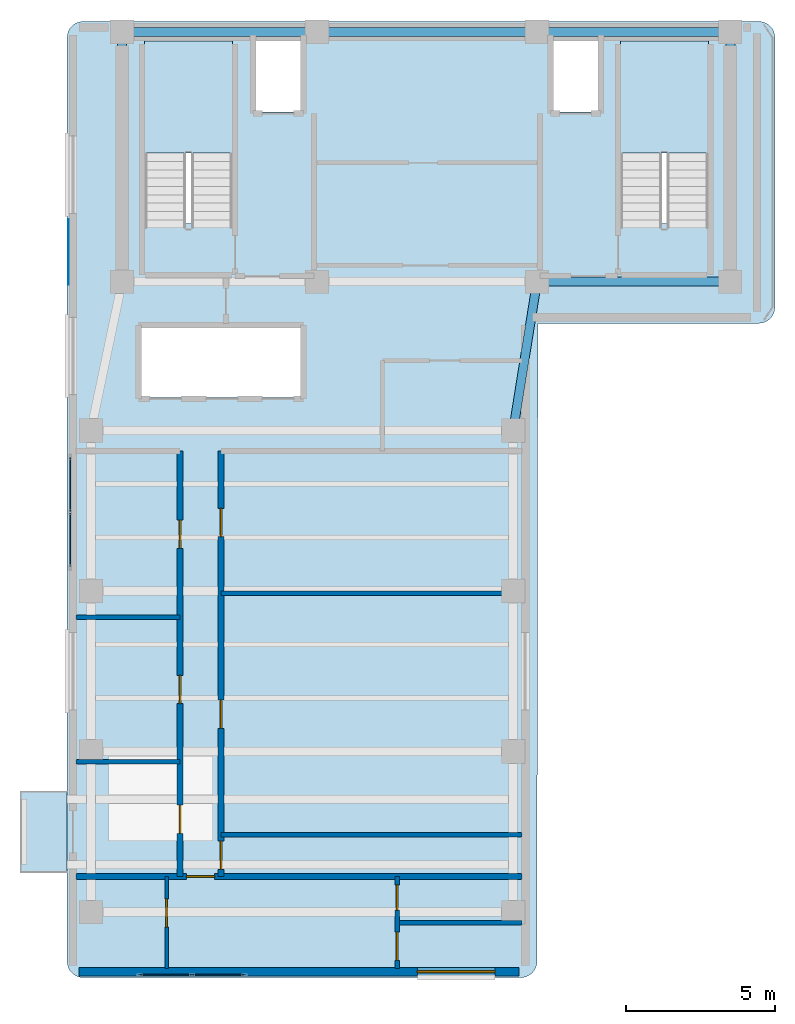
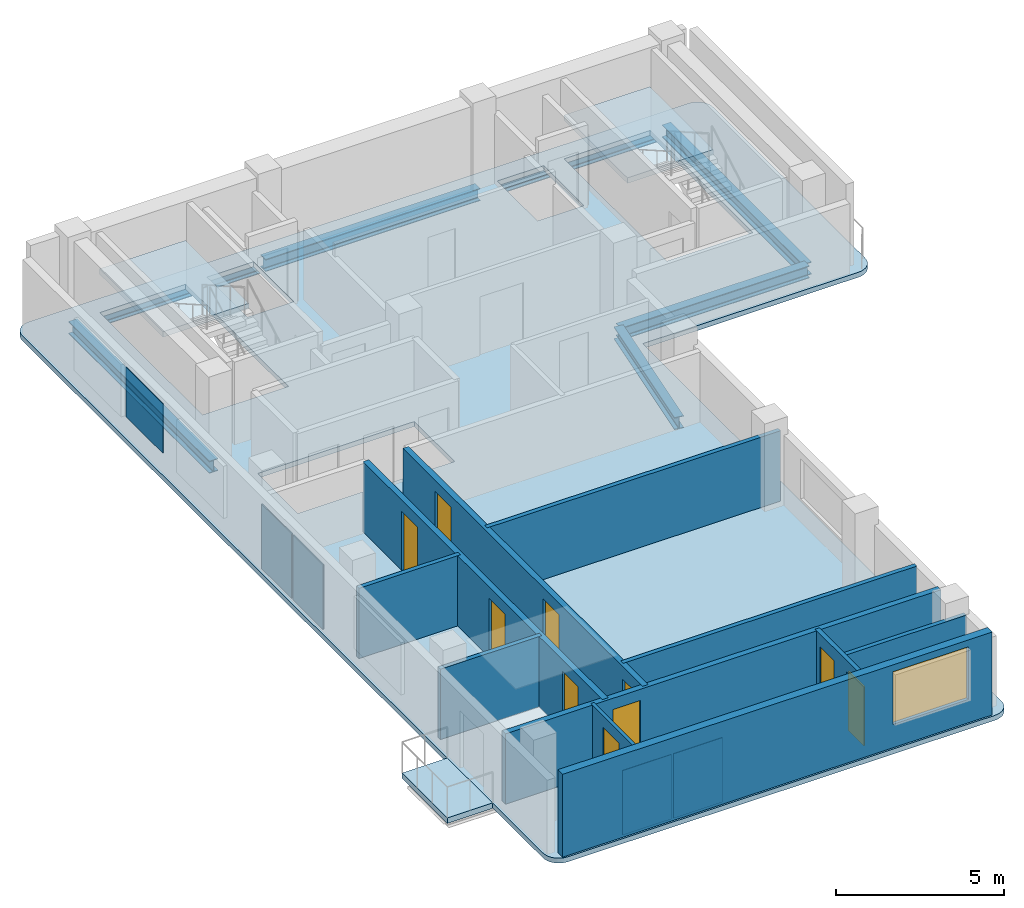
# One storey, part 7 of 11: 11 walls, 10 doors, 7 beams, 5 plates, 4 slabs, 1 window, 11 openings, 4 elements without a shape of their own.
"""IFC4 building model written with IfcOpenShell, lengths in metres."""

from ifc_helpers import new_model, si_unit, direction, frame, frame_2d, origin, origin_2d, place, context, subcontext, project, spatial, polyline, rectangle, i_section, outline, extrude, material, layer, layer_set, material_profile, profile_set, type_object, element, fill, aggregate, save


model = new_model("IFC4")

# Units and contexts
model_context = context("Model", 3, precision=1e-05, world=origin(), true_north=direction((0.0, 1.0)))
body_context = subcontext(model_context, "Body", "Model", "MODEL_VIEW")
ifc_project = project(units=[si_unit("LENGTHUNIT", "METRE"), si_unit("AREAUNIT", "SQUARE_METRE"), si_unit("VOLUMEUNIT", "CUBIC_METRE"), si_unit("PLANEANGLEUNIT", "RADIAN"), si_unit("MASSUNIT", "GRAM", prefix="KILO")], contexts=[model_context])

# Site, building, storey
site_placement = place(None, origin())
site = spatial("IfcSite", under=ifc_project, at=site_placement, CompositionType="ELEMENT")
building_placement = place(site_placement, origin())
building = spatial("IfcBuilding", under=site, at=building_placement, Name="Kuzgunbayir Cultural Tower", CompositionType="ELEMENT")
storey_placement = place(building_placement, frame((0.0, 0.0, 244.0)))
storey = spatial("IfcBuildingStorey", under=building, at=storey_placement, Name="L72", CompositionType="ELEMENT", Elevation=244.0)

# Beams
ifc_material_1 = material(Name="Steel S355J2", Category="steel")
ifc_material_profile = material_profile(ifc_material_1, i_section(OverallWidth=0.300048828125, OverallDepth=0.449951171875, WebThickness=0.013916015625, FlangeThickness=0.02587890625, FilletRadius=0.027099609375, at=origin_2d()), Name="HEB 450")
ifc_profile_set = profile_set([ifc_material_profile], Name="Steel S355J2")
beam_type = type_object("IfcBeamType", Name="BM-GIR-HEB450", PredefinedType="BEAM", material=ifc_profile_set)
beam_1_placement = place(storey_placement, frame((20.39990234375, 33.800048828125, -0.409912109375), z_axis=(1.0, 0.0, 0.0), x_axis=(0.0, 1.0, 0.0)))
element("IfcBeam", 1, at=beam_1_placement, inside=storey, type_object=beam_type, Name="L72 Core South Girder 3", PredefinedType="BEAM", context=body_context, shape_type="SweptSolid", body=[
    extrude(i_section(OverallWidth=0.300048828125, OverallDepth=0.449951171875, WebThickness=0.013916015625, FlangeThickness=0.02587890625, FilletRadius=0.027099609375, at=origin_2d()), origin(), (0.0, 0.0, 1.0), 6.5),
])
beam_2_placement = place(storey_placement, frame((6.449951171875, 42.199951171875, -0.409912109375), z_axis=(1.0, 0.0, 0.0), x_axis=(0.0, 1.0, 0.0)))
element("IfcBeam", 2, at=beam_2_placement, inside=storey, type_object=beam_type, Name="L72 Core North Girder 1", PredefinedType="BEAM", context=body_context, shape_type="SweptSolid", body=[
    extrude(i_section(OverallWidth=0.300048828125, OverallDepth=0.449951171875, WebThickness=0.013916015625, FlangeThickness=0.02587890625, FilletRadius=0.027099609375, at=origin_2d()), origin(), (0.0, 0.0, 1.0), 6.550048828125),
])
beam_3_placement = place(storey_placement, frame((13.0, 42.199951171875, -0.409912109375), z_axis=(1.0, 0.0, 0.0), x_axis=(0.0, 1.0, 0.0)))
element("IfcBeam", 3, at=beam_3_placement, inside=storey, type_object=beam_type, Name="L72 Core North Girder 2", PredefinedType="BEAM", context=body_context, shape_type="SweptSolid", body=[
    extrude(i_section(OverallWidth=0.300048828125, OverallDepth=0.449951171875, WebThickness=0.013916015625, FlangeThickness=0.02587890625, FilletRadius=0.027099609375, at=origin_2d()), origin(), (0.0, 0.0, 1.0), 7.39990234375),
])
beam_4_placement = place(storey_placement, frame((20.39990234375, 42.199951171875, -0.409912109375), z_axis=(1.0, 0.0, 0.0), x_axis=(0.0, 1.0, 0.0)))
element("IfcBeam", 4, at=beam_4_placement, inside=storey, type_object=beam_type, Name="L72 Core North Girder 3", PredefinedType="BEAM", context=body_context, shape_type="SweptSolid", body=[
    extrude(i_section(OverallWidth=0.300048828125, OverallDepth=0.449951171875, WebThickness=0.013916015625, FlangeThickness=0.02587890625, FilletRadius=0.027099609375, at=origin_2d()), origin(), (0.0, 0.0, 1.0), 6.5),
])
for number, where, z_axis, x_axis, name in (
    (5, (6.449951171875, 33.800048828125, -0.409912109375), (0.0, 1.0, 0.0), (-1.0, 0.0, 0.0), "L72 Core West Edge Girder"),
    (6, (26.89990234375, 33.800048828125, -0.409912109375), (0.0, 1.0, 0.0), (-1.0, 0.0, 0.0), "L72 Core East Edge Girder"),
):
    element("IfcBeam", number, at=place(storey_placement, frame(where, z_axis=z_axis, x_axis=x_axis)), inside=storey, type_object=beam_type, Name=name, PredefinedType="BEAM", context=body_context, shape_type="SweptSolid", body=[
        extrude(i_section(OverallWidth=0.300048828125, OverallDepth=0.449951171875, WebThickness=0.013916015625, FlangeThickness=0.02587890625, FilletRadius=0.027099609375, at=origin_2d()), origin(), (0.0, 0.0, 1.0), 8.39990234375),
    ])
beam_5_placement = place(storey_placement, frame((19.60009765625, 28.800048828125, -0.409912109375), z_axis=(0.157952891656, 0.987446648694, 0.0), x_axis=(-0.987446648694, 0.157952891656, 0.0)))
element("IfcBeam", 7, at=beam_5_placement, inside=storey, type_object=beam_type, Name="L72 Wing A East Core Floor Girder", PredefinedType="BEAM", context=body_context, shape_type="SweptSolid", body=[
    extrude(i_section(OverallWidth=0.300048828125, OverallDepth=0.449951171875, WebThickness=0.013916015625, FlangeThickness=0.02587890625, FilletRadius=0.027099609375, at=origin_2d()), origin(), (0.0, 0.0, 1.0), 5.0634765625),
])

# Curtain wall, plates
ifc_material_2 = material(Name="Anodised Aluminium Framing", Category="aluminium")
curtain_wall_type = type_object("IfcCurtainWallType", Name="CW06-OBSERVATORY", PredefinedType="NOTDEFINED", material=ifc_material_2)
curtain_wall_1_placement = place(storey_placement, origin())
curtain_wall_1 = element("IfcCurtainWall", 8, at=curtain_wall_1_placement, inside=storey, type_object=curtain_wall_type, Name="L72 Crown Observatory South Curtain Wall", PredefinedType="NOTDEFINED")
ifc_material_3 = material(Name="Solar-Control Triple Glazing", Category="glass")
ifc_layer_1 = layer(ifc_material_3, 0.035888671875)
ifc_layer_set_1 = layer_set([ifc_layer_1], Name="Solar-Control Triple Glazing")
plate_type_1 = type_object("IfcPlateType", Name="PLT-CW-GLASS-36", PredefinedType="CURTAIN_PANEL", material=ifc_layer_set_1)
plate_1_placement = place(storey_placement, frame((7.918701171875, 10.5, 0.06005859375), z_axis=(0.0, 0.0, 1.0), x_axis=(1.0, 0.0, 0.0)))
plate_1 = element("IfcPlate", 9, at=plate_1_placement, type_object=plate_type_1, Name="CW06 panel 1.1", PredefinedType="CURTAIN_PANEL", context=body_context, shape_type="SweptSolid", body=[
    extrude(rectangle(XDim=1.6875, YDim=0.035888671875, at=origin_2d()), origin(), (0.0, 0.0, 1.0), 2.35009765625),
])
plate_2_placement = place(storey_placement, frame((9.68115234375, 10.5, 0.06005859375), z_axis=(0.0, 0.0, 1.0), x_axis=(1.0, 0.0, 0.0)))
plate_2 = element("IfcPlate", 10, at=plate_2_placement, type_object=plate_type_1, Name="CW06 panel 2.1", PredefinedType="CURTAIN_PANEL", context=body_context, shape_type="SweptSolid", body=[
    extrude(rectangle(XDim=1.6875, YDim=0.035888671875, at=origin_2d()), origin(), (0.0, 0.0, 1.0), 2.35009765625),
])
aggregate(curtain_wall_1, [plate_1, plate_2])

curtain_wall_2_placement = place(storey_placement, origin())
curtain_wall_2 = element("IfcCurtainWall", 11, at=curtain_wall_2_placement, inside=storey, type_object=curtain_wall_type, Name="L72 Crown Observatory West Curtain Wall", PredefinedType="NOTDEFINED")
plate_3_placement = place(storey_placement, frame((4.699951171875, 25.11865234375, 0.06005859375), z_axis=(0.0, 0.0, 1.0), x_axis=(0.0, 1.0, 0.0)))
plate_3 = element("IfcPlate", 12, at=plate_3_placement, type_object=plate_type_1, Name="CW06 panel 1.1", PredefinedType="CURTAIN_PANEL", context=body_context, shape_type="SweptSolid", body=[
    extrude(rectangle(XDim=1.78759765625, YDim=0.035888671875, at=origin_2d()), origin(), (0.0, 0.0, 1.0), 2.35009765625),
])
plate_4_placement = place(storey_placement, frame((4.699951171875, 26.981201171875, 0.06005859375), z_axis=(0.0, 0.0, 1.0), x_axis=(0.0, 1.0, 0.0)))
plate_4 = element("IfcPlate", 13, at=plate_4_placement, type_object=plate_type_1, Name="CW06 panel 2.1", PredefinedType="CURTAIN_PANEL", context=body_context, shape_type="SweptSolid", body=[
    extrude(rectangle(XDim=1.78759765625, YDim=0.035888671875, at=origin_2d()), origin(), (0.0, 0.0, 1.0), 2.35009765625),
])
aggregate(curtain_wall_2, [plate_3, plate_4])

# Plate
ifc_material_4 = material(Name="Perforated Bronze-Anodised Aluminium", Category="aluminium")
ifc_layer_2 = layer(ifc_material_4, 0.02392578125)
ifc_layer_set_2 = layer_set([ifc_layer_2], Name="Perforated Bronze-Anodised Aluminium")
plate_type_2 = type_object("IfcPlateType", Name="PLT-SOLAR-SCREEN-14", PredefinedType="SHEET", material=ifc_layer_set_2)
plate_5_placement = place(storey_placement, frame((4.64990234375, 34.800048828125, 0.75), z_axis=(0.0, 0.0, 1.0), x_axis=(1.0, 0.0, 0.0)))
element("IfcPlate", 14, at=plate_5_placement, inside=storey, type_object=plate_type_2, Name="L72 Tower 1 Perforated Ceramic Solar Screen Panel", PredefinedType="SHEET", context=body_context, shape_type="SweptSolid", body=[
    extrude(rectangle(XDim=0.02392578125, YDim=2.199951171875, at=origin_2d()), origin(), (0.0, 0.0, 1.0), 1.800048828125),
])

# Slab
ifc_material_5 = material(Name="Concrete C40/50", Category="concrete")
ifc_layer_3 = layer(ifc_material_5, 0.199951171875)
ifc_layer_set_3 = layer_set([ifc_layer_3], Name="Concrete C40/50")
slab_type_1 = type_object("IfcSlabType", Name="SLB-BAL-STONE", PredefinedType="FLOOR", material=ifc_layer_set_3)
slab_1_placement = place(storey_placement, frame((0.0, 0.0, -0.199951171875)))
element("IfcSlab", 15, at=slab_1_placement, inside=storey, type_object=slab_type_1, Name="L72 Projecting Limestone Balcony BAL-L72-WA1", PredefinedType="FLOOR", context=body_context, shape_type="SweptSolid", body=[
    extrude(outline(polyline([(3.0400390625, 13.949951171875), (4.60009765625, 13.949951171875), (4.60009765625, 16.64990234375), (3.0400390625, 16.64990234375), (3.0400390625, 13.949951171875)])), origin(), (0.0, 0.0, 1.0), 0.199951171875),
])

# Stair, slab
stair_type = type_object("IfcStairType", Name="STR-EXIT-CORE", PredefinedType="HALF_TURN_STAIR", material=ifc_material_5)
stair_1_placement = place(storey_placement, origin())
stair_1 = element("IfcStair", 16, at=stair_1_placement, inside=storey, type_object=stair_type, Name="L72 ST-1", PredefinedType="HALF_TURN_STAIR")
ifc_layer_4 = layer(ifc_material_5, 0.179931640625)
ifc_layer_set_4 = layer_set([ifc_layer_4], Name="Concrete C40/50")
slab_type_2 = type_object("IfcSlabType", Name="SLB-LANDING-180", PredefinedType="LANDING", material=ifc_layer_set_4)
slab_2_placement = place(storey_placement, frame((0.0, 0.0, 1.39990234375)))
slab_2 = element("IfcSlab", 17, at=slab_2_placement, type_object=slab_type_2, Name="ST-1 landing 1", PredefinedType="LANDING", context=body_context, shape_type="SweptSolid", body=[
    extrude(outline(polyline([(10.159912109375, 38.1201171875), (10.159912109375, 41.89990234375), (7.199951171875, 41.89990234375), (7.199951171875, 38.1201171875), (10.159912109375, 38.1201171875)])), origin(), (0.0, 0.0, 1.0), 0.2001953125),
])
aggregate(stair_1, [slab_2])

stair_2_placement = place(storey_placement, origin())
stair_2 = element("IfcStair", 18, at=stair_2_placement, inside=storey, type_object=stair_type, Name="L72 ST-2", PredefinedType="HALF_TURN_STAIR")
slab_3_placement = place(storey_placement, frame((0.0, 0.0, 1.39990234375)))
slab_3 = element("IfcSlab", 19, at=slab_3_placement, type_object=slab_type_2, Name="ST-2 landing 1", PredefinedType="LANDING", context=body_context, shape_type="SweptSolid", body=[
    extrude(outline(polyline([(26.159912109375, 38.1201171875), (26.159912109375, 41.89990234375), (23.199951171875, 41.89990234375), (23.199951171875, 38.1201171875), (26.159912109375, 38.1201171875)])), origin(), (0.0, 0.0, 1.0), 0.2001953125),
])
aggregate(stair_2, [slab_3])

# Slab
ifc_layer_5 = layer(ifc_material_5, 0.179931640625)
ifc_layer_set_5 = layer_set([ifc_layer_5], Name="Concrete C40/50")
slab_type_3 = type_object("IfcSlabType", Name="SLB-TYP-180", PredefinedType="FLOOR", material=ifc_layer_set_5)
slab_4_placement = place(storey_placement, frame((0.0, 0.0, -0.179931640625)))
element("IfcSlab", 20, at=slab_4_placement, inside=storey, type_object=slab_type_3, Name="L72 Tower 1 Floor Slab T1-MAIN", PredefinedType="FLOOR", context=body_context, shape_type="SweptSolid", body=[
    extrude(outline(polyline([(20.39990234375, 10.949951171875), (20.389892578125, 10.840087890625), (20.360107421875, 10.739990234375), (20.31005859375, 10.639892578125), (20.239990234375, 10.56005859375), (20.159912109375, 10.489990234375), (20.06005859375, 10.43994140625), (19.9599609375, 10.409912109375), (19.85009765625, 10.39990234375), (5.14990234375, 10.39990234375), (5.0400390625, 10.409912109375), (4.93994140625, 10.43994140625), (4.840087890625, 10.489990234375), (4.760009765625, 10.56005859375), (4.68994140625, 10.639892578125), (4.639892578125, 10.739990234375), (4.610107421875, 10.840087890625), (4.60009765625, 10.949951171875), (4.60009765625, 42.0), (4.610107421875, 42.110107421875), (4.639892578125, 42.2099609375), (4.68994140625, 42.31005859375), (4.760009765625, 42.389892578125), (4.840087890625, 42.4599609375), (4.93994140625, 42.510009765625), (5.0400390625, 42.5400390625), (5.14990234375, 42.550048828125), (27.85009765625, 42.550048828125), (27.9599609375, 42.5400390625), (28.06005859375, 42.510009765625), (28.159912109375, 42.4599609375), (28.239990234375, 42.389892578125), (28.31005859375, 42.31005859375), (28.360107421875, 42.2099609375), (28.389892578125, 42.110107421875), (28.39990234375, 42.0), (28.39990234375, 32.949951171875), (28.389892578125, 32.840087890625), (28.360107421875, 32.739990234375), (28.31005859375, 32.639892578125), (28.239990234375, 32.56005859375), (28.159912109375, 32.489990234375), (28.06005859375, 32.43994140625), (27.9599609375, 32.409912109375), (27.85009765625, 32.39990234375), (20.429931640625, 32.39990234375), (20.39990234375, 10.949951171875)]), holes=[polyline([(7.199951171875, 35.760009765625), (7.199951171875, 41.89990234375), (10.159912109375, 41.89990234375), (10.159912109375, 35.760009765625), (7.199951171875, 35.760009765625)]), polyline([(23.199951171875, 35.760009765625), (23.199951171875, 41.89990234375), (26.159912109375, 41.89990234375), (26.159912109375, 35.760009765625), (23.199951171875, 35.760009765625)]), polyline([(7.10009765625, 29.89990234375), (7.10009765625, 32.300048828125), (12.5, 32.300048828125), (12.5, 29.89990234375), (7.10009765625, 29.89990234375)]), polyline([(10.89990234375, 39.5), (10.89990234375, 41.89990234375), (12.5, 41.89990234375), (12.5, 39.5), (10.89990234375, 39.5)]), polyline([(20.89990234375, 39.5), (20.89990234375, 41.89990234375), (22.5, 41.89990234375), (22.5, 39.5), (20.89990234375, 39.5)])]), origin(), (0.0, 0.0, 1.0), 0.179931640625),
])

# Wall, opening, window
ifc_material_6 = material(Name="Anatolian Cream Limestone", Category="masonry")
ifc_layer_6 = layer(ifc_material_6, 0.280029296875)
ifc_layer_set_6 = layer_set([ifc_layer_6], Name="Anatolian Cream Limestone")
wall_type_1 = type_object("IfcWallType", Name="WAL-EXT-STONE-280", PredefinedType="STANDARD", material=ifc_layer_set_6)
wall_1_placement = place(storey_placement, frame((5.0, 10.60009765625, 0.0), z_axis=(0.0, 0.0, 1.0), x_axis=(1.0, 0.0, 0.0)))
wall_1 = element("IfcWall", 21, at=wall_1_placement, inside=storey, type_object=wall_type_1, Name="L72 Wing A South Limestone Wall", PredefinedType="STANDARD", context=body_context, shape_type="SweptSolid", body=[
    extrude(rectangle(XDim=14.800048828125, YDim=0.280029296875, at=frame_2d((7.39990234375, 0.0))), origin(), (0.0, 0.0, 1.0), 3.02001953125),
])
opening_1_placement = place(wall_1_placement, frame((11.3798828125, 0.0, 0.85009765625)))
opening_1 = element("IfcOpeningElement", 22, at=opening_1_placement, cuts=wall_1, Name="Opening WK-26", PredefinedType="OPENING", context=body_context, shape_type="SweptSolid", body=[
    extrude(rectangle(XDim=2.60009765625, YDim=1.919921875, at=frame_2d((1.300048828125, 0.9599609375))), frame((0.0, 0.14990234375, 0.0), z_axis=(0.0, -1.0, 0.0), x_axis=(1.0, 0.0, 0.0)), (0.0, 0.0, 1.0), 0.300048828125),
])
window_type = type_object("IfcWindowType", Name="WIN-CROWN-26", PartitioningType="SINGLE_PANEL", PredefinedType="WINDOW", material=ifc_material_3)
window_placement = place(opening_1_placement, origin())
window = element("IfcWindow", 23, at=window_placement, inside=storey, type_object=window_type, Name="L72 WAS Facade Window 1", OverallHeight=1.919921875, OverallWidth=2.60009765625, PartitioningType="SINGLE_PANEL", PredefinedType="WINDOW", context=body_context, shape_type="SweptSolid", body=[
    extrude(rectangle(XDim=2.60009765625, YDim=1.919921875, at=frame_2d((1.300048828125, 0.9599609375))), frame((0.0, 0.030029296875, 0.0), z_axis=(0.0, -1.0, 0.0), x_axis=(1.0, 0.0, 0.0)), (0.0, 0.0, 1.0), 0.06005859375),
])
fill(opening_1, window)

# Walls
ifc_material_7 = material(Name="Acoustic Double-Stud Drywall", Category="gypsum")
ifc_layer_7 = layer(ifc_material_7, 0.14990234375)
ifc_layer_set_7 = layer_set([ifc_layer_7], Name="Acoustic Double-Stud Drywall")
wall_type_2 = type_object("IfcWallType", Name="WAL-PART-ACOUSTIC-150", PredefinedType="PARTITIONING", material=ifc_layer_set_7)
for number, where, z_axis, x_axis, name in (
    (24, (4.89990234375, 17.659912109375, 0.0), (0.0, 0.0, 1.0), (1.0, 0.0, 0.0), "L72 West Study Partition 1"),
    (25, (4.89990234375, 22.52001953125, 0.0), (0.0, 0.0, 1.0), (1.0, 0.0, 0.0), "L72 West Study Partition 2"),
):
    element("IfcWall", number, at=place(storey_placement, frame(where, z_axis=z_axis, x_axis=x_axis)), inside=storey, type_object=wall_type_2, Name=name, PredefinedType="PARTITIONING", context=body_context, shape_type="SweptSolid", body=[
        extrude(rectangle(XDim=3.5, YDim=0.14990234375, at=frame_2d((1.75, 0.0))), origin(), (0.0, 0.0, 1.0), 2.56005859375),
    ])
wall_2_placement = place(storey_placement, frame((9.780029296875, 23.330078125, 0.0), z_axis=(0.0, 0.0, 1.0), x_axis=(1.0, 0.0, 0.0)))
element("IfcWall", 26, at=wall_2_placement, inside=storey, type_object=wall_type_2, Name="L72 East Divider 1", PredefinedType="PARTITIONING", context=body_context, shape_type="SweptSolid", body=[
    extrude(rectangle(XDim=10.119873046875, YDim=0.14990234375, at=frame_2d((5.06005859375, 0.0))), origin(), (0.0, 0.0, 1.0), 2.56005859375),
])

# Wall, openings, doors
ifc_material_8 = material(Name="Aerated Concrete Blockwork", Category="masonry")
ifc_layer_8 = layer(ifc_material_8, 0.199951171875)
ifc_layer_set_8 = layer_set([ifc_layer_8], Name="Aerated Concrete Blockwork")
wall_type_3 = type_object("IfcWallType", Name="WAL-PART-FIRE-200", PredefinedType="PARTITIONING", material=ifc_layer_set_8)
wall_3_placement = place(storey_placement, frame((8.39990234375, 13.800048828125, 0.0), z_axis=(0.0, 0.0, 1.0), x_axis=(0.0, 1.0, 0.0)))
wall_3 = element("IfcWall", 27, at=wall_3_placement, inside=storey, type_object=wall_type_3, Name="L72 Wing A West Corridor Wall", PredefinedType="PARTITIONING", context=body_context, shape_type="SweptSolid", body=[
    extrude(rectangle(XDim=14.300048828125, YDim=0.199951171875, at=frame_2d((7.14990234375, 0.0))), origin(), (0.0, 0.0, 1.0), 2.56005859375),
])
opening_2_placement = place(wall_3_placement, frame((1.449951171875, 0.0, 0.0)))
opening_2 = element("IfcOpeningElement", 28, at=opening_2_placement, cuts=wall_3, Name="Opening DI-90", PredefinedType="OPENING", context=body_context, shape_type="SweptSolid", body=[
    extrude(rectangle(XDim=0.949951171875, YDim=2.14990234375, at=frame_2d((0.47509765625, 1.074951171875))), frame((0.0, 0.10986328125, 0.0), z_axis=(0.0, -1.0, 0.0), x_axis=(1.0, 0.0, 0.0)), (0.0, 0.0, 1.0), 0.219970703125),
])
opening_3_placement = place(wall_3_placement, frame((5.81005859375, 0.0, 0.0)))
opening_3 = element("IfcOpeningElement", 29, at=opening_3_placement, cuts=wall_3, Name="Opening DI-90", PredefinedType="OPENING", context=body_context, shape_type="SweptSolid", body=[
    extrude(rectangle(XDim=0.949951171875, YDim=2.14990234375, at=frame_2d((0.47509765625, 1.074951171875))), frame((0.0, 0.10986328125, 0.0), z_axis=(0.0, -1.0, 0.0), x_axis=(1.0, 0.0, 0.0)), (0.0, 0.0, 1.0), 0.219970703125),
])
opening_4_placement = place(wall_3_placement, frame((11.030029296875, 0.0, 0.0)))
opening_4 = element("IfcOpeningElement", 30, at=opening_4_placement, cuts=wall_3, Name="Opening DI-90", PredefinedType="OPENING", context=body_context, shape_type="SweptSolid", body=[
    extrude(rectangle(XDim=0.949951171875, YDim=2.14990234375, at=frame_2d((0.47509765625, 1.074951171875))), frame((0.0, 0.10986328125, 0.0), z_axis=(0.0, -1.0, 0.0), x_axis=(1.0, 0.0, 0.0)), (0.0, 0.0, 1.0), 0.219970703125),
])
ifc_material_9 = material(Name="Veneered Oak Single Leaf", Category="wood")
door_type_1 = type_object("IfcDoorType", Name="DR-INT-90", OperationType="NOTDEFINED", PredefinedType="DOOR", material=ifc_material_9)
door_1_placement = place(opening_2_placement, origin())
door_1 = element("IfcDoor", 31, at=door_1_placement, inside=storey, type_object=door_type_1, Name="L72 Curatorial Office W1 Door", OperationType="SINGLE_SWING_LEFT", OverallHeight=2.14990234375, OverallWidth=0.949951171875, PredefinedType="DOOR", context=body_context, shape_type="SweptSolid", body=[
    extrude(rectangle(XDim=0.949951171875, YDim=2.14990234375, at=frame_2d((0.47509765625, 1.074951171875))), frame((0.0, 0.02490234375, 0.0), z_axis=(0.0, -1.0, 0.0), x_axis=(1.0, 0.0, 0.0)), (0.0, 0.0, 1.0), 0.050048828125),
])
fill(opening_2, door_1)
door_2_placement = place(opening_3_placement, origin())
door_2 = element("IfcDoor", 32, at=door_2_placement, inside=storey, type_object=door_type_1, Name="L72 Curatorial Office W2 Door", OperationType="SINGLE_SWING_RIGHT", OverallHeight=2.14990234375, OverallWidth=0.949951171875, PredefinedType="DOOR", context=body_context, shape_type="SweptSolid", body=[
    extrude(rectangle(XDim=0.949951171875, YDim=2.14990234375, at=frame_2d((0.47509765625, 1.074951171875))), frame((0.0, 0.02490234375, 0.0), z_axis=(0.0, -1.0, 0.0), x_axis=(1.0, 0.0, 0.0)), (0.0, 0.0, 1.0), 0.050048828125),
])
fill(opening_3, door_2)
door_3_placement = place(opening_4_placement, origin())
door_3 = element("IfcDoor", 33, at=door_3_placement, inside=storey, type_object=door_type_1, Name="L72 Wellness Consultation Studio W3 Door", OperationType="SINGLE_SWING_LEFT", OverallHeight=2.14990234375, OverallWidth=0.949951171875, PredefinedType="DOOR", context=body_context, shape_type="SweptSolid", body=[
    extrude(rectangle(XDim=0.949951171875, YDim=2.14990234375, at=frame_2d((0.47509765625, 1.074951171875))), frame((0.0, 0.02490234375, 0.0), z_axis=(0.0, -1.0, 0.0), x_axis=(1.0, 0.0, 0.0)), (0.0, 0.0, 1.0), 0.050048828125),
])
fill(opening_4, door_3)

wall_4_placement = place(storey_placement, frame((9.780029296875, 13.800048828125, 0.0), z_axis=(0.0, 0.0, 1.0), x_axis=(0.0, 1.0, 0.0)))
wall_4 = element("IfcWall", 34, at=wall_4_placement, inside=storey, type_object=wall_type_3, Name="L72 Wing A East Corridor Wall", PredefinedType="PARTITIONING", context=body_context, shape_type="SweptSolid", body=[
    extrude(rectangle(XDim=14.300048828125, YDim=0.199951171875, at=frame_2d((7.14990234375, 0.0))), origin(), (0.0, 0.0, 1.0), 2.56005859375),
])
opening_5_placement = place(wall_4_placement, frame((0.239990234375, 0.0, 0.0)))
opening_5 = element("IfcOpeningElement", 35, at=opening_5_placement, cuts=wall_4, Name="Opening DW-95", PredefinedType="OPENING", context=body_context, shape_type="SweptSolid", body=[
    extrude(rectangle(XDim=0.949951171875, YDim=2.10009765625, at=frame_2d((0.47509765625, 1.050048828125))), frame((0.0, 0.10986328125, 0.0), z_axis=(0.0, -1.0, 0.0), x_axis=(1.0, 0.0, 0.0)), (0.0, 0.0, 1.0), 0.219970703125),
])
opening_6_placement = place(wall_4_placement, frame((4.97998046875, 0.0, 0.0)))
opening_6 = element("IfcOpeningElement", 36, at=opening_6_placement, cuts=wall_4, Name="Opening DI-90", PredefinedType="OPENING", context=body_context, shape_type="SweptSolid", body=[
    extrude(rectangle(XDim=0.949951171875, YDim=2.14990234375, at=frame_2d((0.47509765625, 1.074951171875))), frame((0.0, 0.10986328125, 0.0), z_axis=(0.0, -1.0, 0.0), x_axis=(1.0, 0.0, 0.0)), (0.0, 0.0, 1.0), 0.219970703125),
])
opening_7_placement = place(wall_4_placement, frame((11.429931640625, 0.0, 0.0)))
opening_7 = element("IfcOpeningElement", 37, at=opening_7_placement, cuts=wall_4, Name="Opening DI-90", PredefinedType="OPENING", context=body_context, shape_type="SweptSolid", body=[
    extrude(rectangle(XDim=0.949951171875, YDim=2.14990234375, at=frame_2d((0.47509765625, 1.074951171875))), frame((0.0, 0.10986328125, 0.0), z_axis=(0.0, -1.0, 0.0), x_axis=(1.0, 0.0, 0.0)), (0.0, 0.0, 1.0), 0.219970703125),
])
door_4_placement = place(opening_6_placement, origin())
door_4 = element("IfcDoor", 38, at=door_4_placement, inside=storey, type_object=door_type_1, Name="L72 East Curatorial Office E1 Door", OperationType="SINGLE_SWING_LEFT", OverallHeight=2.14990234375, OverallWidth=0.949951171875, PredefinedType="DOOR", context=body_context, shape_type="SweptSolid", body=[
    extrude(rectangle(XDim=0.949951171875, YDim=2.14990234375, at=frame_2d((0.47509765625, 1.074951171875))), frame((0.0, 0.02490234375, 0.0), z_axis=(0.0, -1.0, 0.0), x_axis=(1.0, 0.0, 0.0)), (0.0, 0.0, 1.0), 0.050048828125),
])
fill(opening_6, door_4)
door_5_placement = place(opening_7_placement, origin())
door_5 = element("IfcDoor", 39, at=door_5_placement, inside=storey, type_object=door_type_1, Name="L72 East Fellows Reading Lounge E2 Door", OperationType="SINGLE_SWING_RIGHT", OverallHeight=2.14990234375, OverallWidth=0.949951171875, PredefinedType="DOOR", context=body_context, shape_type="SweptSolid", body=[
    extrude(rectangle(XDim=0.949951171875, YDim=2.14990234375, at=frame_2d((0.47509765625, 1.074951171875))), frame((0.0, 0.02490234375, 0.0), z_axis=(0.0, -1.0, 0.0), x_axis=(1.0, 0.0, 0.0)), (0.0, 0.0, 1.0), 0.050048828125),
])
fill(opening_7, door_5)
ifc_material_10 = material(Name="Laminate Moisture-Resistant Leaf", Category="wood")
door_type_2 = type_object("IfcDoorType", Name="DR-WET-95", OperationType="NOTDEFINED", PredefinedType="DOOR", material=ifc_material_10)
door_6_placement = place(opening_5_placement, origin())
door_6 = element("IfcDoor", 40, at=door_6_placement, inside=storey, type_object=door_type_2, Name="L72 Visitor Accessible WC Door", OperationType="SINGLE_SWING_RIGHT", OverallHeight=2.10009765625, OverallWidth=0.949951171875, PredefinedType="DOOR", context=body_context, shape_type="SweptSolid", body=[
    extrude(rectangle(XDim=0.949951171875, YDim=2.10009765625, at=frame_2d((0.47509765625, 1.050048828125))), frame((0.0, 0.02490234375, 0.0), z_axis=(0.0, -1.0, 0.0), x_axis=(1.0, 0.0, 0.0)), (0.0, 0.0, 1.0), 0.050048828125),
])
fill(opening_5, door_6)

# Wall, opening, door
wall_5_placement = place(storey_placement, frame((4.89990234375, 13.800048828125, 0.0), z_axis=(0.0, 0.0, 1.0), x_axis=(1.0, 0.0, 0.0)))
wall_5 = element("IfcWall", 41, at=wall_5_placement, inside=storey, type_object=wall_type_3, Name="L72 South Cross Partition", PredefinedType="PARTITIONING", context=body_context, shape_type="SweptSolid", body=[
    extrude(rectangle(XDim=15.0, YDim=0.199951171875, at=frame_2d((7.5, 0.0))), origin(), (0.0, 0.0, 1.0), 2.56005859375),
])
opening_8_placement = place(wall_5_placement, frame((3.7099609375, 0.0, 0.0)))
opening_8 = element("IfcOpeningElement", 42, at=opening_8_placement, cuts=wall_5, Name="Opening DR-APT-60", PredefinedType="OPENING", context=body_context, shape_type="SweptSolid", body=[
    extrude(rectangle(XDim=0.949951171875, YDim=2.14990234375, at=frame_2d((0.47509765625, 1.074951171875))), frame((0.0, 0.10986328125, 0.0), z_axis=(0.0, -1.0, 0.0), x_axis=(1.0, 0.0, 0.0)), (0.0, 0.0, 1.0), 0.219970703125),
])
ifc_material_11 = material(Name="Acoustic Fire Timber Leaf", Category="wood")
door_type_3 = type_object("IfcDoorType", Name="DR-APT-60", OperationType="NOTDEFINED", PredefinedType="DOOR", material=ifc_material_11)
door_7_placement = place(opening_8_placement, origin())
door_7 = element("IfcDoor", 43, at=door_7_placement, inside=storey, type_object=door_type_3, Name="L72 Apartment A Entrance", OperationType="SINGLE_SWING_LEFT", OverallHeight=2.14990234375, OverallWidth=0.949951171875, PredefinedType="DOOR", context=body_context, shape_type="SweptSolid", body=[
    extrude(rectangle(XDim=0.949951171875, YDim=2.14990234375, at=frame_2d((0.47509765625, 1.074951171875))), frame((0.0, 0.02490234375, 0.0), z_axis=(0.0, -1.0, 0.0), x_axis=(1.0, 0.0, 0.0)), (0.0, 0.0, 1.0), 0.050048828125),
])
fill(opening_8, door_7)

ifc_material_12 = material(Name="Framed Gypsum Partition", Category="gypsum")
ifc_layer_9 = layer(ifc_material_12, 0.1201171875)
ifc_layer_set_9 = layer_set([ifc_layer_9], Name="Framed Gypsum Partition")
wall_type_4 = type_object("IfcWallType", Name="WAL-PART-INT-120", PredefinedType="PARTITIONING", material=ifc_layer_set_9)
wall_6_placement = place(storey_placement, frame((7.949951171875, 10.699951171875, 0.0), z_axis=(0.0, 0.0, 1.0), x_axis=(0.0, 1.0, 0.0)))
wall_6 = element("IfcWall", 44, at=wall_6_placement, inside=storey, type_object=wall_type_4, Name="L72 Flat A West Bedroom Wall", PredefinedType="PARTITIONING", context=body_context, shape_type="SweptSolid", body=[
    extrude(rectangle(XDim=3.10009765625, YDim=0.1201171875, at=frame_2d((1.550048828125, 0.0))), origin(), (0.0, 0.0, 1.0), 2.56005859375),
])
opening_9_placement = place(wall_6_placement, frame((1.39990234375, 0.0, 0.0)))
opening_9 = element("IfcOpeningElement", 45, at=opening_9_placement, cuts=wall_6, Name="Opening DI-90", PredefinedType="OPENING", context=body_context, shape_type="SweptSolid", body=[
    extrude(rectangle(XDim=0.949951171875, YDim=2.14990234375, at=frame_2d((0.47509765625, 1.074951171875))), frame((0.0, 0.070068359375, 0.0), z_axis=(0.0, -1.0, 0.0), x_axis=(1.0, 0.0, 0.0)), (0.0, 0.0, 1.0), 0.14013671875),
])
door_8_placement = place(opening_9_placement, origin())
door_8 = element("IfcDoor", 46, at=door_8_placement, inside=storey, type_object=door_type_1, Name="L72 Apartment A Bedroom Door", OperationType="SINGLE_SWING_RIGHT", OverallHeight=2.14990234375, OverallWidth=0.949951171875, PredefinedType="DOOR", context=body_context, shape_type="SweptSolid", body=[
    extrude(rectangle(XDim=0.949951171875, YDim=2.14990234375, at=frame_2d((0.47509765625, 1.074951171875))), frame((0.0, 0.02490234375, 0.0), z_axis=(0.0, -1.0, 0.0), x_axis=(1.0, 0.0, 0.0)), (0.0, 0.0, 1.0), 0.050048828125),
])
fill(opening_9, door_8)

# Wall, openings, doors
ifc_material_13 = material(Name="Moisture-Resistant Tile Partition", Category="gypsum")
ifc_layer_10 = layer(ifc_material_13, 0.14990234375)
ifc_layer_set_10 = layer_set([ifc_layer_10], Name="Moisture-Resistant Tile Partition")
wall_type_5 = type_object("IfcWallType", Name="WAL-PART-WET-150", PredefinedType="PARTITIONING", material=ifc_layer_set_10)
wall_7_placement = place(storey_placement, frame((15.699951171875, 10.699951171875, 0.0), z_axis=(0.0, 0.0, 1.0), x_axis=(0.0, 1.0, 0.0)))
wall_7 = element("IfcWall", 47, at=wall_7_placement, inside=storey, type_object=wall_type_5, Name="L72 Flat A East Service Wall", PredefinedType="PARTITIONING", context=body_context, shape_type="SweptSolid", body=[
    extrude(rectangle(XDim=3.10009765625, YDim=0.14990234375, at=frame_2d((1.550048828125, 0.0))), origin(), (0.0, 0.0, 1.0), 2.56005859375),
])
opening_10_placement = place(wall_7_placement, frame((0.280029296875, 0.0, 0.0)))
opening_10 = element("IfcOpeningElement", 48, at=opening_10_placement, cuts=wall_7, Name="Opening DI-90", PredefinedType="OPENING", context=body_context, shape_type="SweptSolid", body=[
    extrude(rectangle(XDim=0.949951171875, YDim=2.14990234375, at=frame_2d((0.47509765625, 1.074951171875))), frame((0.0, 0.0849609375, 0.0), z_axis=(0.0, -1.0, 0.0), x_axis=(1.0, 0.0, 0.0)), (0.0, 0.0, 1.0), 0.169921875),
])
opening_11_placement = place(wall_7_placement, frame((1.969970703125, 0.0, 0.0)))
opening_11 = element("IfcOpeningElement", 49, at=opening_11_placement, cuts=wall_7, Name="Opening DW-85", PredefinedType="OPENING", context=body_context, shape_type="SweptSolid", body=[
    extrude(rectangle(XDim=0.85009765625, YDim=2.10009765625, at=frame_2d((0.425048828125, 1.050048828125))), frame((0.0, 0.0849609375, 0.0), z_axis=(0.0, -1.0, 0.0), x_axis=(1.0, 0.0, 0.0)), (0.0, 0.0, 1.0), 0.169921875),
])
door_9_placement = place(opening_10_placement, origin())
door_9 = element("IfcDoor", 50, at=door_9_placement, inside=storey, type_object=door_type_1, Name="L72 Apartment A Kitchen Door", OperationType="SINGLE_SWING_LEFT", OverallHeight=2.14990234375, OverallWidth=0.949951171875, PredefinedType="DOOR", context=body_context, shape_type="SweptSolid", body=[
    extrude(rectangle(XDim=0.949951171875, YDim=2.14990234375, at=frame_2d((0.47509765625, 1.074951171875))), frame((0.0, 0.02490234375, 0.0), z_axis=(0.0, -1.0, 0.0), x_axis=(1.0, 0.0, 0.0)), (0.0, 0.0, 1.0), 0.050048828125),
])
fill(opening_10, door_9)
door_type_4 = type_object("IfcDoorType", Name="DR-WET-85", OperationType="NOTDEFINED", PredefinedType="DOOR", material=ifc_material_10)
door_10_placement = place(opening_11_placement, origin())
door_10 = element("IfcDoor", 51, at=door_10_placement, inside=storey, type_object=door_type_4, Name="L72 Apartment A Bathroom Door", OperationType="SINGLE_SWING_RIGHT", OverallHeight=2.10009765625, OverallWidth=0.85009765625, PredefinedType="DOOR", context=body_context, shape_type="SweptSolid", body=[
    extrude(rectangle(XDim=0.85009765625, YDim=2.10009765625, at=frame_2d((0.425048828125, 1.050048828125))), frame((0.0, 0.02490234375, 0.0), z_axis=(0.0, -1.0, 0.0), x_axis=(1.0, 0.0, 0.0)), (0.0, 0.0, 1.0), 0.050048828125),
])
fill(opening_11, door_10)

# Walls
wall_8_placement = place(storey_placement, frame((15.699951171875, 12.25, 0.0), z_axis=(0.0, 0.0, 1.0), x_axis=(1.0, 0.0, 0.0)))
element("IfcWall", 52, at=wall_8_placement, inside=storey, type_object=wall_type_5, Name="L72 Flat A Bath Kitchen Divider", PredefinedType="PARTITIONING", context=body_context, shape_type="SweptSolid", body=[
    extrude(rectangle(XDim=4.199951171875, YDim=0.14990234375, at=frame_2d((2.10009765625, 0.0))), origin(), (0.0, 0.0, 1.0), 2.56005859375),
])
wall_9_placement = place(storey_placement, frame((9.780029296875, 15.199951171875, 0.0), z_axis=(0.0, 0.0, 1.0), x_axis=(1.0, 0.0, 0.0)))
element("IfcWall", 53, at=wall_9_placement, inside=storey, type_object=wall_type_5, Name="L72 East Accessible WC Wall", PredefinedType="PARTITIONING", context=body_context, shape_type="SweptSolid", body=[
    extrude(rectangle(XDim=10.119873046875, YDim=0.14990234375, at=frame_2d((5.06005859375, 0.0))), origin(), (0.0, 0.0, 1.0), 2.56005859375),
])

save(model, "model.ifc")
